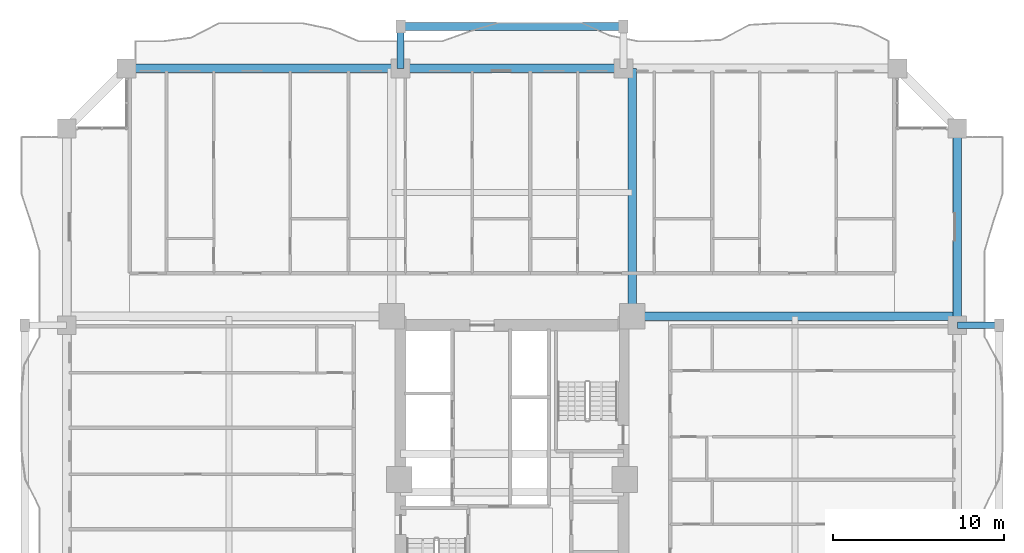
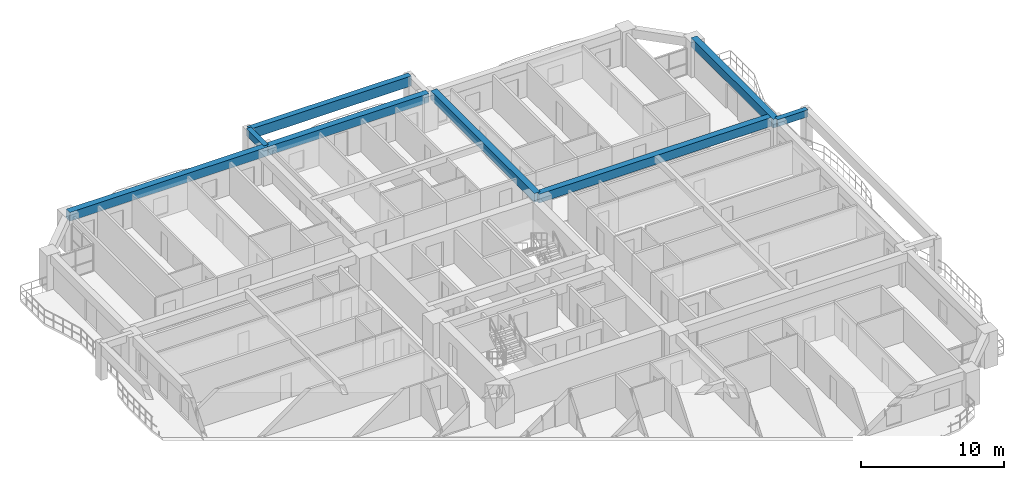
# One storey, part 9 of 27: 8 beams.
"""IFC4 building model written with IfcOpenShell, lengths in metres."""

import ifcopenshell
import ifcopenshell.guid

model = None  # the IFC model being written
_history = None  # IfcOwnerHistory: only IFC2X3 demands one
_inside = {}  # id of a spatial element -> (the spatial element, [elements in it])
_under = {}  # id of a project, library or spatial element -> (it, [spatial elements below it])
_declared = {}  # id of a project -> (the project, [libraries it declares])
_typed = {}  # id of a type object -> (the type object, [elements of that type])
_made_of = {}  # id of a material, layer set ... -> (it, [elements and type objects made of it])


def new_model(schema):
    """Start an empty IFC model of exactly this schema.

    Asked for "IFC4X3", IfcOpenShell would pick the latest addendum, in which some entities
    have other attributes; the version numbers below select the first issue.
    IFC2X3 requires an IfcOwnerHistory on every rooted entity: one is made here for all.
    """
    global model, _history
    if schema == "IFC4X3":
        model = ifcopenshell.file(schema_version=(4, 3, 0, 0))
    else:
        model = ifcopenshell.file(schema=schema)
    _inside.clear()
    _under.clear()
    _declared.clear()
    _typed.clear()
    _made_of.clear()
    _history = None
    if model.schema == "IFC2X3":
        org = make("IfcOrganization", Name="unknown")
        user = make(
            "IfcPersonAndOrganization",
            ThePerson=make("IfcPerson", FamilyName="unknown"),
            TheOrganization=org,
        )
        app = make(
            "IfcApplication",
            ApplicationDeveloper=org,
            Version="unknown",
            ApplicationFullName="unknown",
            ApplicationIdentifier="unknown",
        )
        _history = make(
            "IfcOwnerHistory",
            OwningUser=user,
            OwningApplication=app,
            ChangeAction="ADDED",
            CreationDate=0,
        )
    return model


def make(cls, **values):
    """One entity of the class cls with the attributes given. An attribute that is None is left unset."""
    return model.create_entity(
        cls, **{name: value for name, value in values.items() if value is not None}
    )


def rooted(cls, **values):
    """An entity with a GlobalId (a new one), such as an element, a storey or a relation."""
    return make(cls, GlobalId=ifcopenshell.guid.new(), OwnerHistory=_history, **values)


def si_unit(unit_type, name, prefix=None):
    """IfcSIUnit, for example si_unit("LENGTHUNIT", "METRE", prefix="MILLI")."""
    return make("IfcSIUnit", UnitType=unit_type, Prefix=prefix, Name=name)


def assignment(units):
    """IfcUnitAssignment: the units of a project."""
    return None if units is None else make("IfcUnitAssignment", Units=units)


def point(xyz):
    """IfcCartesianPoint."""
    return None if xyz is None else make("IfcCartesianPoint", Coordinates=xyz)


def direction(xyz):
    """IfcDirection."""
    return None if xyz is None else make("IfcDirection", DirectionRatios=xyz)


def frame(location, z_axis=None, x_axis=None):
    """IfcAxis2Placement3D, a coordinate frame: its origin and axes. An axis left out is left unset."""
    return make(
        "IfcAxis2Placement3D",
        Location=point(location),
        Axis=direction(z_axis),
        RefDirection=direction(x_axis),
    )


def frame_2d(location, x_axis=None):
    """IfcAxis2Placement2D, a coordinate frame in the plane: its origin and x axis."""
    return make(
        "IfcAxis2Placement2D", Location=point(location), RefDirection=direction(x_axis)
    )


def origin():
    """The frame at (0, 0, 0) with its axes left unset."""
    return frame((0.0, 0.0, 0.0))


def origin_2d():
    """The frame at (0, 0) in the plane with its x axis left unset."""
    return frame_2d((0.0, 0.0))


def place(relative_to, where):
    """IfcLocalPlacement: puts the frame where relative to a parent placement (None: the world)."""
    return make(
        "IfcLocalPlacement", PlacementRelTo=relative_to, RelativePlacement=where
    )


def context(
    kind, dimensions, precision=None, world=None, true_north=None, identifier=None
):
    """IfcGeometricRepresentationContext, for example the 3D "Model" context."""
    return make(
        "IfcGeometricRepresentationContext",
        ContextIdentifier=identifier,
        ContextType=kind,
        CoordinateSpaceDimension=dimensions,
        Precision=precision,
        WorldCoordinateSystem=world,
        TrueNorth=true_north,
    )


def subcontext(parent, identifier, kind, view, scale=None):
    """IfcGeometricRepresentationSubContext, for example "Body" below "Model"."""
    return make(
        "IfcGeometricRepresentationSubContext",
        ContextIdentifier=identifier,
        ContextType=kind,
        ParentContext=parent,
        TargetScale=scale,
        TargetView=view,
    )


def project(units=None, contexts=None):
    """IfcProject with its units and contexts."""
    return rooted(
        "IfcProject",
        Name="project",
        RepresentationContexts=contexts,
        UnitsInContext=assignment(units),
    )


def spatial(cls, under=None, at=None, **own):
    """A site, building, storey or space (cls), placed at a placement, below another one or the project."""
    s = rooted(cls, ObjectPlacement=at, **own)
    if under is not None:
        _under.setdefault(under.id(), (under, []))[1].append(s)
    return s


def profile(cls, at=None, kind="AREA", **sizes):
    """A parametric profile (cls). Its sizes go by their IFC names, for example OverallWidth=200.0."""
    return make(cls, ProfileType=kind, Position=at, **sizes)


def rectangle(**sizes):
    """IfcRectangleProfileDef."""
    return profile("IfcRectangleProfileDef", **sizes)


def extrude(swept, where, along, depth):
    """IfcExtrudedAreaSolid: the profile swept, set in the frame where, extruded along a direction by depth."""
    return make(
        "IfcExtrudedAreaSolid",
        SweptArea=swept,
        Position=where,
        ExtrudedDirection=direction(along),
        Depth=depth,
    )


def shape(context_of_items, identifier, shape_type, items):
    """IfcShapeRepresentation: the items that make up one representation, for example the "Body"."""
    return make(
        "IfcShapeRepresentation",
        ContextOfItems=context_of_items,
        RepresentationIdentifier=identifier,
        RepresentationType=shape_type,
        Items=items,
    )


def source(mapping_origin, context_of_items, identifier, shape_type, items):
    """IfcRepresentationMap: a shape defined once, which mapped items show again and again."""
    return make(
        "IfcRepresentationMap",
        MappingOrigin=mapping_origin,
        MappedRepresentation=shape(context_of_items, identifier, shape_type, items),
    )


def transform(
    local_origin,
    x_axis=None,
    y_axis=None,
    z_axis=None,
    scale=None,
    scale2=None,
    scale3=None,
    uniform=True,
):
    """IfcCartesianTransformationOperator3D, or its non-uniform kind. x_axis, y_axis, z_axis: its Axis1, 2, 3."""
    if uniform:
        return make(
            "IfcCartesianTransformationOperator3D",
            Axis1=direction(x_axis),
            Axis2=direction(y_axis),
            LocalOrigin=point(local_origin),
            Scale=scale,
            Axis3=direction(z_axis),
        )
    return make(
        "IfcCartesianTransformationOperator3DnonUniform",
        Axis1=direction(x_axis),
        Axis2=direction(y_axis),
        LocalOrigin=point(local_origin),
        Scale=scale,
        Axis3=direction(z_axis),
        Scale2=scale2,
        Scale3=scale3,
    )


def mapped(mapping_source, mapping_target):
    """IfcMappedItem: shows the shape of a source again, moved by a transform."""
    return make(
        "IfcMappedItem", MappingSource=mapping_source, MappingTarget=mapping_target
    )


def material(Name=None, Category=None):
    """IfcMaterial."""
    return make("IfcMaterial", Name=Name, Category=Category)


def material_profile(
    of_material, cross_section, Name=None, Category=None, Priority=None
):
    """IfcMaterialProfile: a cross section and its material."""
    return make(
        "IfcMaterialProfile",
        Name=Name,
        Material=of_material,
        Profile=cross_section,
        Priority=Priority,
        Category=Category,
    )


def profile_set(profiles, Name=None, composite=None):
    """IfcMaterialProfileSet."""
    return make(
        "IfcMaterialProfileSet",
        Name=Name,
        MaterialProfiles=profiles,
        CompositeProfile=composite,
    )


def made_of(thing, what):
    """Note that an element or type object is made of a material, layer set ...; save() writes the relation."""
    if what is not None:
        _made_of.setdefault(what.id(), (what, []))[1].append(thing)
    return thing


def type_object(cls, material=None, **own):
    """A type object (cls), such as IfcWallType, which elements share."""
    return made_of(rooted(cls, **own), material)


def element(
    cls,
    number,
    at=None,
    inside=None,
    cuts=None,
    type_object=None,
    material=None,
    context=None,
    identifier="Body",
    shape_type=None,
    held_by="IfcProductDefinitionShape",
    body=None,
    shapes=None,
    **own,
):
    """One element of the class cls, such as IfcWall. Its Tag is "e" and its number.

    at: its placement. inside: the storey or other place that contains it. cuts: it is an
    opening in that element (IfcRelVoidsElement). A single representation is given by context,
    identifier, shape_type and body (its items); several are given by shapes. held_by: the class
    of the entity that holds the representations. save() writes the other relations.
    """
    e = rooted(cls, Tag="e%d" % number, ObjectPlacement=at, **own)
    if body is not None:
        shapes = [shape(context, identifier, shape_type, body)]
    if shapes is not None:
        e.Representation = make(held_by, Representations=shapes)
    if inside is not None:
        _inside.setdefault(inside.id(), (inside, []))[1].append(e)
    if cuts is not None:
        rooted(
            "IfcRelVoidsElement", RelatingBuildingElement=cuts, RelatedOpeningElement=e
        )
    if type_object is not None:
        _typed.setdefault(type_object.id(), (type_object, []))[1].append(e)
    return made_of(e, material)


def aggregate(whole, parts):
    """IfcRelAggregates: a whole, such as a stair, and the parts it consists of."""
    return rooted("IfcRelAggregates", RelatingObject=whole, RelatedObjects=parts)


def save(model, path):
    """Write the relations noted so far, then the file.

    IfcRelAggregates (storeys below a building ...), IfcRelContainedInSpatialStructure (elements
    in a storey), IfcRelDefinesByType, IfcRelAssociatesMaterial and IfcRelDeclares: one each for
    every whole, place, type object, material and project.
    """
    for whole, parts in _under.values():
        aggregate(whole, parts)
    for where, things in _inside.values():
        rooted(
            "IfcRelContainedInSpatialStructure",
            RelatedElements=things,
            RelatingStructure=where,
        )
    for kind, things in _typed.values():
        rooted("IfcRelDefinesByType", RelatedObjects=things, RelatingType=kind)
    for what, things in _made_of.values():
        rooted("IfcRelAssociatesMaterial", RelatedObjects=things, RelatingMaterial=what)
    for by, libraries in _declared.values():
        rooted("IfcRelDeclares", RelatingContext=by, RelatedDefinitions=libraries)
    model.write(path)


model = new_model("IFC4")

# Units and contexts
model_context = context("Model", 3, precision=1e-05, world=origin(), true_north=direction((0.0, 1.0)))
body_context = subcontext(model_context, "Body", "Model", "MODEL_VIEW")
ifc_project = project(units=[si_unit("LENGTHUNIT", "METRE"), si_unit("AREAUNIT", "SQUARE_METRE"), si_unit("VOLUMEUNIT", "CUBIC_METRE"), si_unit("PLANEANGLEUNIT", "RADIAN"), si_unit("MASSUNIT", "GRAM", prefix="KILO")], contexts=[model_context])

# Site, building, storey
site_placement = place(None, origin())
site = spatial("IfcSite", under=ifc_project, at=site_placement, CompositionType="ELEMENT")
building_placement = place(site_placement, origin())
building = spatial("IfcBuilding", under=site, at=building_placement, Name="Saelheon Loggia Tower", CompositionType="ELEMENT")
storey_placement = place(building_placement, frame((0.0, 0.0, 34.39990234375)))
storey = spatial("IfcBuildingStorey", under=building, at=storey_placement, Name="L10", CompositionType="ELEMENT", Elevation=34.39990234375)

# Beams
ifc_material_1 = material(Name="Precast Concrete C45/55", Category="concrete")
ifc_material_profile_1 = material_profile(ifc_material_1, rectangle(XDim=0.449951171875, YDim=0.85009765625, at=origin_2d()), Name="RC-450x850")
ifc_profile_set_1 = profile_set([ifc_material_profile_1], Name="Precast Concrete C45/55")
beam_type_1 = type_object("IfcBeamType", Name="Beam_LoggiaSpandrel_RC450x850", PredefinedType="SPANDREL", material=ifc_profile_set_1)
shared_shape_1 = source(origin(), body_context, "Body", "SweptSolid", [
    extrude(rectangle(XDim=0.449951171875, YDim=0.85009765625, at=origin_2d()), origin(), (0.0, 0.0, 1.0), 13.0),
])
beam_1_placement = place(storey_placement, frame((31.5, 53.449951171875, 2.5751953125), z_axis=(1.0, 0.0, 0.0), x_axis=(0.0, 1.0, 0.0)))
element("IfcBeam", 1, at=beam_1_placement, inside=storey, type_object=beam_type_1, Name="L10 Loggia Spandrel Beam N", PredefinedType="SPANDREL", context=body_context, shape_type="MappedRepresentation", body=[
    mapped(shared_shape_1, transform((0.0, 0.0, 0.0), scale=1.0)),
])
ifc_material_2 = material(Name="Concrete C45/55", Category="concrete")
ifc_material_profile_2 = material_profile(ifc_material_2, rectangle(XDim=0.5, YDim=0.75, at=origin_2d()), Name="RC-500x750")
ifc_profile_set_2 = profile_set([ifc_material_profile_2], Name="Concrete C45/55")
beam_type_2 = type_object("IfcBeamType", Name="Beam_FloorGirder_RC500x750", PredefinedType="BEAM", material=ifc_profile_set_2)
shared_shape_2 = source(origin(), body_context, "Body", "SweptSolid", [
    extrude(rectangle(XDim=0.5, YDim=0.75, at=origin_2d()), origin(), (0.0, 0.0, 1.0), 14.47998046875),
])
beam_2_placement = place(storey_placement, frame((45.02001953125, 36.52001953125, 2.625), z_axis=(0.0, 1.0, 0.0), x_axis=(-1.0, 0.0, 0.0)))
element("IfcBeam", 2, at=beam_2_placement, inside=storey, type_object=beam_type_2, Name="L10 Radial Floor Girder RAD-NE-N", PredefinedType="BEAM", context=body_context, shape_type="MappedRepresentation", body=[
    mapped(shared_shape_2, transform((0.0, 0.0, 0.0), scale=1.0)),
])
ifc_material_profile_3 = material_profile(ifc_material_2, rectangle(XDim=0.5, YDim=0.75, at=origin_2d()), Name="RC-500x750")
ifc_profile_set_3 = profile_set([ifc_material_profile_3], Name="Concrete C45/55")
beam_type_3 = type_object("IfcBeamType", Name="Beam_PerimGirder_RC500x750", PredefinedType="BEAM", material=ifc_profile_set_3)
shared_shape_3 = source(origin(), body_context, "Body", "SweptSolid", [
    extrude(rectangle(XDim=0.5, YDim=0.75, at=origin_2d()), origin(), (0.0, 0.0, 1.0), 16.0),
])
beam_3_placement = place(storey_placement, frame((31.5, 51.0, 2.625), z_axis=(-1.0, 0.0, 0.0), x_axis=(0.0, -1.0, 0.0)))
element("IfcBeam", 3, at=beam_3_placement, inside=storey, type_object=beam_type_3, Name="L10 Perimeter Frame Girder 11", PredefinedType="BEAM", context=body_context, shape_type="MappedRepresentation", body=[
    mapped(shared_shape_3, transform((0.0, 0.0, 0.0), scale=1.0)),
])
shared_shape_4 = source(origin(), body_context, "Body", "SweptSolid", [
    extrude(rectangle(XDim=0.5, YDim=0.75, at=origin_2d()), origin(), (0.0, 0.0, 1.0), 13.0),
])
beam_4_placement = place(storey_placement, frame((44.5, 51.0, 2.625), z_axis=(-1.0, 0.0, 0.0), x_axis=(0.0, -1.0, 0.0)))
element("IfcBeam", 4, at=beam_4_placement, inside=storey, type_object=beam_type_3, Name="L10 Perimeter Frame Girder 10", PredefinedType="BEAM", context=body_context, shape_type="MappedRepresentation", body=[
    mapped(shared_shape_4, transform((0.0, 0.0, 0.0), scale=1.0)),
])
shared_shape_5 = source(origin(), body_context, "Body", "SweptSolid", [
    extrude(rectangle(XDim=0.5, YDim=0.75, at=origin_2d()), origin(), (0.0, 0.0, 1.0), 11.5),
])
beam_5_placement = place(storey_placement, frame((64.0, 36.0, 2.625), z_axis=(0.0, 1.0, 0.0), x_axis=(-1.0, 0.0, 0.0)))
element("IfcBeam", 5, at=beam_5_placement, inside=storey, type_object=beam_type_3, Name="L10 Perimeter Frame Girder 07", PredefinedType="BEAM", context=body_context, shape_type="MappedRepresentation", body=[
    mapped(shared_shape_5, transform((0.0, 0.0, 0.0), scale=1.0)),
])
shared_shape_6 = source(origin(), body_context, "Body", "SweptSolid", [
    extrude(rectangle(XDim=0.5, YDim=0.75, at=origin_2d()), origin(), (0.0, 0.0, 1.0), 18.97998046875),
])
beam_6_placement = place(storey_placement, frame((45.02001953125, 36.52001953125, 2.625), z_axis=(1.0, 0.0, 0.0), x_axis=(0.0, 1.0, 0.0)))
element("IfcBeam", 6, at=beam_6_placement, inside=storey, type_object=beam_type_2, Name="L10 Radial Floor Girder RAD-NE-E", PredefinedType="BEAM", context=body_context, shape_type="MappedRepresentation", body=[
    mapped(shared_shape_6, transform((0.0, 0.0, 0.0), scale=1.0)),
])
ifc_material_profile_4 = material_profile(ifc_material_1, rectangle(XDim=0.39990234375, YDim=0.60009765625, at=origin_2d()), Name="RC-400x600")
ifc_profile_set_4 = profile_set([ifc_material_profile_4], Name="Precast Concrete C45/55")
beam_type_4 = type_object("IfcBeamType", Name="Beam_LoggiaTie_RC400x600", PredefinedType="BEAM", material=ifc_profile_set_4)
shared_shape_7 = source(origin(), body_context, "Body", "SweptSolid", [
    extrude(rectangle(XDim=0.39990234375, YDim=0.60009765625, at=origin_2d()), origin(), (0.0, 0.0, 1.0), 2.449951171875),
])
for number, where, z_axis, x_axis, name in (
    (7, (31.5, 51.0, 2.7001953125), (0.0, 1.0, 0.0), (-1.0, 0.0, 0.0), "L10 Loggia Frame Tie Beam LP-N1"),
    (8, (64.0, 36.0, 2.7001953125), (1.0, 0.0, 0.0), (0.0, 1.0, 0.0), "L10 Loggia Frame Tie Beam LP-E2"),
):
    element("IfcBeam", number, at=place(storey_placement, frame(where, z_axis=z_axis, x_axis=x_axis)), inside=storey, type_object=beam_type_4, Name=name, PredefinedType="BEAM", context=body_context, shape_type="MappedRepresentation", body=[
        mapped(shared_shape_7, transform((0.0, 0.0, 0.0), scale=1.0)),
    ])

save(model, "model.ifc")
